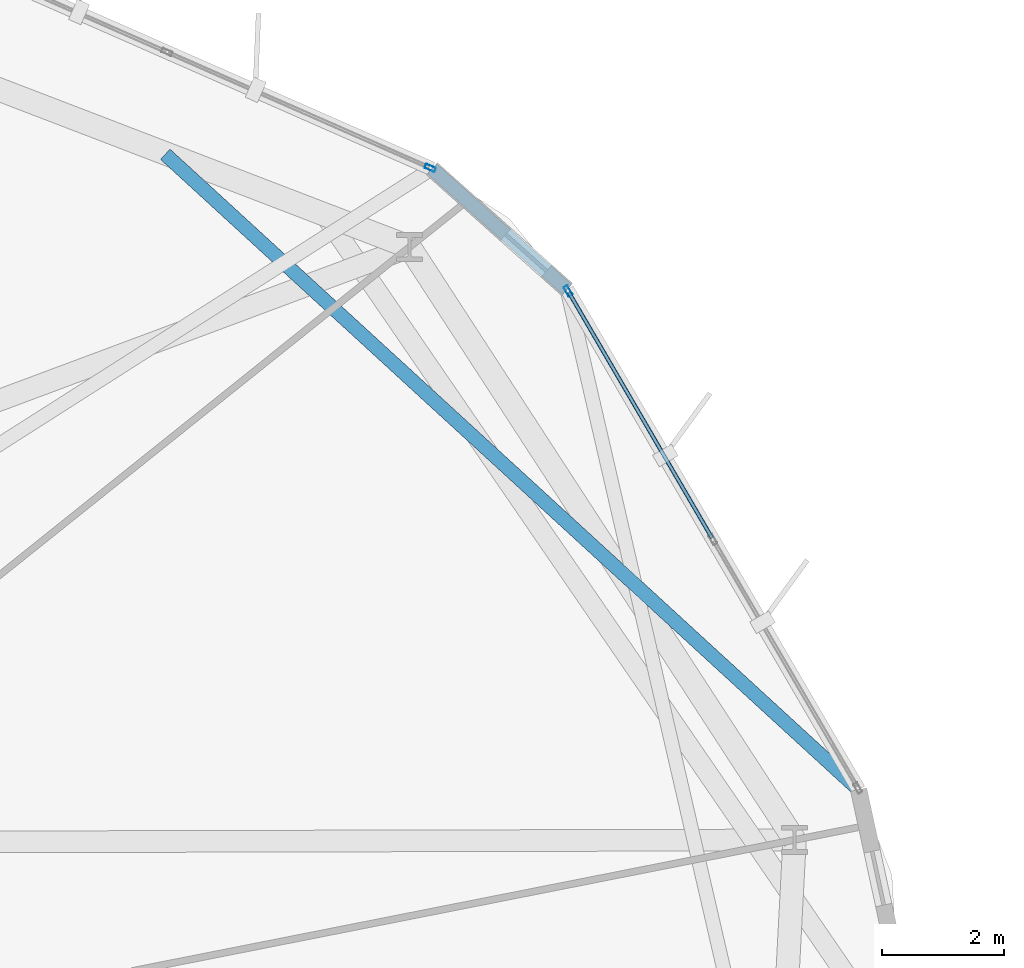
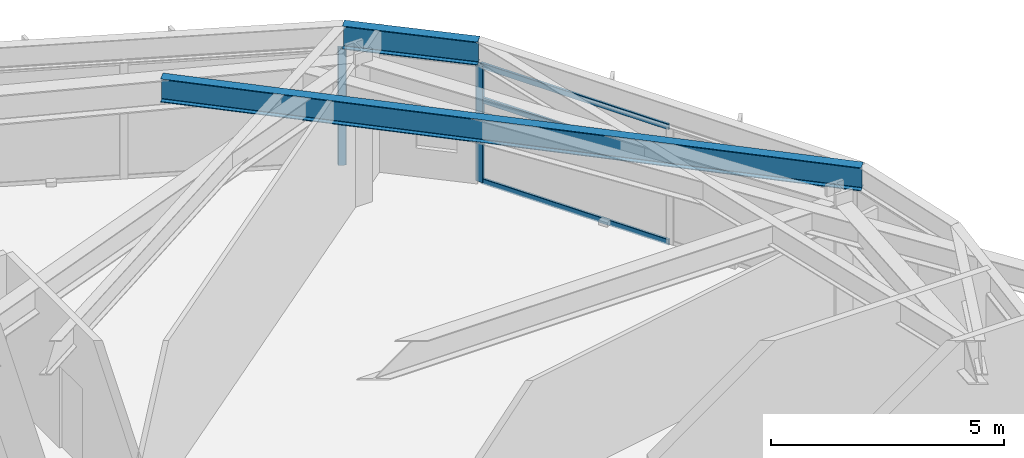
# One storey, part 15 of 22: 5 members, 2 beams, 2 elements without a shape of their own.
"""IFC4 building model written with IfcOpenShell, lengths in metres."""

import ifcopenshell
import ifcopenshell.guid

model = None  # the IFC model being written
_history = None  # IfcOwnerHistory: only IFC2X3 demands one
_inside = {}  # id of a spatial element -> (the spatial element, [elements in it])
_under = {}  # id of a project, library or spatial element -> (it, [spatial elements below it])
_declared = {}  # id of a project -> (the project, [libraries it declares])
_typed = {}  # id of a type object -> (the type object, [elements of that type])
_made_of = {}  # id of a material, layer set ... -> (it, [elements and type objects made of it])


def new_model(schema):
    """Start an empty IFC model of exactly this schema.

    Asked for "IFC4X3", IfcOpenShell would pick the latest addendum, in which some entities
    have other attributes; the version numbers below select the first issue.
    IFC2X3 requires an IfcOwnerHistory on every rooted entity: one is made here for all.
    """
    global model, _history
    if schema == "IFC4X3":
        model = ifcopenshell.file(schema_version=(4, 3, 0, 0))
    else:
        model = ifcopenshell.file(schema=schema)
    _inside.clear()
    _under.clear()
    _declared.clear()
    _typed.clear()
    _made_of.clear()
    _history = None
    if model.schema == "IFC2X3":
        org = make("IfcOrganization", Name="unknown")
        user = make(
            "IfcPersonAndOrganization",
            ThePerson=make("IfcPerson", FamilyName="unknown"),
            TheOrganization=org,
        )
        app = make(
            "IfcApplication",
            ApplicationDeveloper=org,
            Version="unknown",
            ApplicationFullName="unknown",
            ApplicationIdentifier="unknown",
        )
        _history = make(
            "IfcOwnerHistory",
            OwningUser=user,
            OwningApplication=app,
            ChangeAction="ADDED",
            CreationDate=0,
        )
    return model


def make(cls, **values):
    """One entity of the class cls with the attributes given. An attribute that is None is left unset."""
    return model.create_entity(
        cls, **{name: value for name, value in values.items() if value is not None}
    )


def rooted(cls, **values):
    """An entity with a GlobalId (a new one), such as an element, a storey or a relation."""
    return make(cls, GlobalId=ifcopenshell.guid.new(), OwnerHistory=_history, **values)


def si_unit(unit_type, name, prefix=None):
    """IfcSIUnit, for example si_unit("LENGTHUNIT", "METRE", prefix="MILLI")."""
    return make("IfcSIUnit", UnitType=unit_type, Prefix=prefix, Name=name)


def assignment(units):
    """IfcUnitAssignment: the units of a project."""
    return None if units is None else make("IfcUnitAssignment", Units=units)


def point(xyz):
    """IfcCartesianPoint."""
    return None if xyz is None else make("IfcCartesianPoint", Coordinates=xyz)


def direction(xyz):
    """IfcDirection."""
    return None if xyz is None else make("IfcDirection", DirectionRatios=xyz)


def frame(location, z_axis=None, x_axis=None):
    """IfcAxis2Placement3D, a coordinate frame: its origin and axes. An axis left out is left unset."""
    return make(
        "IfcAxis2Placement3D",
        Location=point(location),
        Axis=direction(z_axis),
        RefDirection=direction(x_axis),
    )


def frame_2d(location, x_axis=None):
    """IfcAxis2Placement2D, a coordinate frame in the plane: its origin and x axis."""
    return make(
        "IfcAxis2Placement2D", Location=point(location), RefDirection=direction(x_axis)
    )


def origin():
    """The frame at (0, 0, 0) with its axes left unset."""
    return frame((0.0, 0.0, 0.0))


def origin_2d():
    """The frame at (0, 0) in the plane with its x axis left unset."""
    return frame_2d((0.0, 0.0))


def place(relative_to, where):
    """IfcLocalPlacement: puts the frame where relative to a parent placement (None: the world)."""
    return make(
        "IfcLocalPlacement", PlacementRelTo=relative_to, RelativePlacement=where
    )


def context(
    kind, dimensions, precision=None, world=None, true_north=None, identifier=None
):
    """IfcGeometricRepresentationContext, for example the 3D "Model" context."""
    return make(
        "IfcGeometricRepresentationContext",
        ContextIdentifier=identifier,
        ContextType=kind,
        CoordinateSpaceDimension=dimensions,
        Precision=precision,
        WorldCoordinateSystem=world,
        TrueNorth=true_north,
    )


def subcontext(parent, identifier, kind, view, scale=None):
    """IfcGeometricRepresentationSubContext, for example "Body" below "Model"."""
    return make(
        "IfcGeometricRepresentationSubContext",
        ContextIdentifier=identifier,
        ContextType=kind,
        ParentContext=parent,
        TargetScale=scale,
        TargetView=view,
    )


def project(units=None, contexts=None):
    """IfcProject with its units and contexts."""
    return rooted(
        "IfcProject",
        Name="project",
        RepresentationContexts=contexts,
        UnitsInContext=assignment(units),
    )


def spatial(cls, under=None, at=None, **own):
    """A site, building, storey or space (cls), placed at a placement, below another one or the project."""
    s = rooted(cls, ObjectPlacement=at, **own)
    if under is not None:
        _under.setdefault(under.id(), (under, []))[1].append(s)
    return s


def profile(cls, at=None, kind="AREA", **sizes):
    """A parametric profile (cls). Its sizes go by their IFC names, for example OverallWidth=200.0."""
    return make(cls, ProfileType=kind, Position=at, **sizes)


def hollow_rectangle(**sizes):
    """IfcRectangleHollowProfileDef."""
    return profile("IfcRectangleHollowProfileDef", **sizes)


def i_section(**sizes):
    """IfcIShapeProfileDef."""
    return profile("IfcIShapeProfileDef", **sizes)


def extrude(swept, where, along, depth):
    """IfcExtrudedAreaSolid: the profile swept, set in the frame where, extruded along a direction by depth."""
    return make(
        "IfcExtrudedAreaSolid",
        SweptArea=swept,
        Position=where,
        ExtrudedDirection=direction(along),
        Depth=depth,
    )


def shape(context_of_items, identifier, shape_type, items):
    """IfcShapeRepresentation: the items that make up one representation, for example the "Body"."""
    return make(
        "IfcShapeRepresentation",
        ContextOfItems=context_of_items,
        RepresentationIdentifier=identifier,
        RepresentationType=shape_type,
        Items=items,
    )


def material(Name=None, Category=None):
    """IfcMaterial."""
    return make("IfcMaterial", Name=Name, Category=Category)


def layer(
    of_material, thickness, ventilated=None, Name=None, Category=None, Priority=None
):
    """IfcMaterialLayer: one layer of a wall or slab, of a material (None: an air gap)."""
    return make(
        "IfcMaterialLayer",
        Material=of_material,
        LayerThickness=thickness,
        IsVentilated=ventilated,
        Name=Name,
        Category=Category,
        Priority=Priority,
    )


def layer_set(layers, Name=None):
    """IfcMaterialLayerSet."""
    return make("IfcMaterialLayerSet", MaterialLayers=layers, LayerSetName=Name)


def material_profile(
    of_material, cross_section, Name=None, Category=None, Priority=None
):
    """IfcMaterialProfile: a cross section and its material."""
    return make(
        "IfcMaterialProfile",
        Name=Name,
        Material=of_material,
        Profile=cross_section,
        Priority=Priority,
        Category=Category,
    )


def profile_set(profiles, Name=None, composite=None):
    """IfcMaterialProfileSet."""
    return make(
        "IfcMaterialProfileSet",
        Name=Name,
        MaterialProfiles=profiles,
        CompositeProfile=composite,
    )


def made_of(thing, what):
    """Note that an element or type object is made of a material, layer set ...; save() writes the relation."""
    if what is not None:
        _made_of.setdefault(what.id(), (what, []))[1].append(thing)
    return thing


def type_object(cls, material=None, **own):
    """A type object (cls), such as IfcWallType, which elements share."""
    return made_of(rooted(cls, **own), material)


def element(
    cls,
    number,
    at=None,
    inside=None,
    cuts=None,
    type_object=None,
    material=None,
    context=None,
    identifier="Body",
    shape_type=None,
    held_by="IfcProductDefinitionShape",
    body=None,
    shapes=None,
    **own,
):
    """One element of the class cls, such as IfcWall. Its Tag is "e" and its number.

    at: its placement. inside: the storey or other place that contains it. cuts: it is an
    opening in that element (IfcRelVoidsElement). A single representation is given by context,
    identifier, shape_type and body (its items); several are given by shapes. held_by: the class
    of the entity that holds the representations. save() writes the other relations.
    """
    e = rooted(cls, Tag="e%d" % number, ObjectPlacement=at, **own)
    if body is not None:
        shapes = [shape(context, identifier, shape_type, body)]
    if shapes is not None:
        e.Representation = make(held_by, Representations=shapes)
    if inside is not None:
        _inside.setdefault(inside.id(), (inside, []))[1].append(e)
    if cuts is not None:
        rooted(
            "IfcRelVoidsElement", RelatingBuildingElement=cuts, RelatedOpeningElement=e
        )
    if type_object is not None:
        _typed.setdefault(type_object.id(), (type_object, []))[1].append(e)
    return made_of(e, material)


def aggregate(whole, parts):
    """IfcRelAggregates: a whole, such as a stair, and the parts it consists of."""
    return rooted("IfcRelAggregates", RelatingObject=whole, RelatedObjects=parts)


def save(model, path):
    """Write the relations noted so far, then the file.

    IfcRelAggregates (storeys below a building ...), IfcRelContainedInSpatialStructure (elements
    in a storey), IfcRelDefinesByType, IfcRelAssociatesMaterial and IfcRelDeclares: one each for
    every whole, place, type object, material and project.
    """
    for whole, parts in _under.values():
        aggregate(whole, parts)
    for where, things in _inside.values():
        rooted(
            "IfcRelContainedInSpatialStructure",
            RelatedElements=things,
            RelatingStructure=where,
        )
    for kind, things in _typed.values():
        rooted("IfcRelDefinesByType", RelatedObjects=things, RelatingType=kind)
    for what, things in _made_of.values():
        rooted("IfcRelAssociatesMaterial", RelatedObjects=things, RelatingMaterial=what)
    for by, libraries in _declared.values():
        rooted("IfcRelDeclares", RelatingContext=by, RelatedDefinitions=libraries)
    model.write(path)


model = new_model("IFC4")

# Units and contexts
model_context = context("Model", 3, precision=1e-05, world=origin(), true_north=direction((0.0, 1.0)))
body_context = subcontext(model_context, "Body", "Model", "MODEL_VIEW")
ifc_project = project(units=[si_unit("LENGTHUNIT", "METRE"), si_unit("AREAUNIT", "SQUARE_METRE"), si_unit("VOLUMEUNIT", "CUBIC_METRE"), si_unit("PLANEANGLEUNIT", "RADIAN"), si_unit("MASSUNIT", "GRAM", prefix="KILO")], contexts=[model_context])

# Site, building, storey
site_placement = place(None, origin())
site = spatial("IfcSite", under=ifc_project, at=site_placement, CompositionType="ELEMENT")
building_placement = place(site_placement, origin())
building = spatial("IfcBuilding", under=site, at=building_placement, Name="Soratama Intermodal Tower", CompositionType="ELEMENT")
storey_placement = place(building_placement, frame((0.0, 0.0, 74.60009765625)))
storey = spatial("IfcBuildingStorey", under=building, at=storey_placement, Name="L17", CompositionType="ELEMENT", Elevation=74.60009765625)

# Beams
ifc_material_1 = material(Name="Structural steel ASTM A992 Grade 50", Category="steel")
ifc_material_profile_1 = material_profile(ifc_material_1, i_section(OverallWidth=0.22900390625, OverallDepth=0.612060546875, WebThickness=0.011962890625, FlangeThickness=0.01953125, FilletRadius=0.012939453125, at=origin_2d()), Name="W24X84")
ifc_profile_set_1 = profile_set([ifc_material_profile_1], Name="Structural steel ASTM A992 Grade 50")
beam_type_1 = type_object("IfcBeamType", Name="BM-SPN-W24X84", PredefinedType="SPANDREL", material=ifc_profile_set_1)
beam_1_placement = place(storey_placement, frame((59.35888671875, 38.85595703125, 3.393798828125), z_axis=(-0.745908445205, 0.666048490255, 0.0), x_axis=(-0.666048490255, -0.745908445205, 0.0)))
element("IfcBeam", 1, at=beam_1_placement, inside=storey, type_object=beam_type_1, Name="BS-L17-CRN01", PredefinedType="SPANDREL", context=body_context, shape_type="SweptSolid", body=[
    extrude(i_section(OverallWidth=0.22900390625, OverallDepth=0.612060546875, WebThickness=0.011962890625, FlangeThickness=0.01953125, FilletRadius=0.012939453125, at=origin_2d()), origin(), (0.0, 0.0, 1.0), 2.96533203125),
])
ifc_material_2 = material(Name="Structural steel ASTM A992 Grade 50", Category="steel")
ifc_material_profile_2 = material_profile(ifc_material_2, i_section(OverallWidth=0.22900390625, OverallDepth=0.612060546875, WebThickness=0.011962890625, FlangeThickness=0.01953125, FilletRadius=0.012939453125, at=origin_2d()), Name="W24X84")
ifc_profile_set_2 = profile_set([ifc_material_profile_2], Name="Structural steel ASTM A992 Grade 50")
beam_type_2 = type_object("IfcBeamType", Name="BM-TIE-W24X84", PredefinedType="BEAM", material=ifc_profile_set_2)
beam_2_placement = place(storey_placement, frame((52.782958984375, 41.06689453125, 3.393798828125), z_axis=(0.73729764739, -0.675568041839, 0.0), x_axis=(0.675568041839, 0.73729764739, 0.0)))
element("IfcBeam", 2, at=beam_2_placement, inside=storey, type_object=beam_type_2, Name="BM-L17-TIE0-01", PredefinedType="BEAM", context=body_context, shape_type="SweptSolid", body=[
    extrude(i_section(OverallWidth=0.22900390625, OverallDepth=0.612060546875, WebThickness=0.011962890625, FlangeThickness=0.01953125, FilletRadius=0.012939453125, at=origin_2d()), origin(), (0.0, 0.0, 1.0), 15.392822265625),
])

# Curtain wall, member
ifc_material_3 = material(Name="Double-glazed aluminium curtain wall", Category="aluminium")
ifc_layer = layer(ifc_material_3, 0.159912109375)
ifc_layer_set = layer_set([ifc_layer], Name="Double-glazed aluminium curtain wall")
curtain_wall_type = type_object("IfcCurtainWallType", Name="CW-SYS-2", PredefinedType="NOTDEFINED", material=ifc_layer_set)
curtain_wall_1_placement = place(storey_placement, origin())
curtain_wall_1 = element("IfcCurtainWall", 3, at=curtain_wall_1_placement, inside=storey, type_object=curtain_wall_type, Name="L17 Faceted Curtain Wall F01", PredefinedType="NOTDEFINED")
ifc_material_4 = material(Name="Anodised aluminium AA 6063-T6", Category="aluminium")
ifc_material_profile_3 = material_profile(ifc_material_4, hollow_rectangle(XDim=0.074951171875, YDim=0.179931640625, WallThickness=0.006103515625, InnerFilletRadius=0.006103515625, OuterFilletRadius=0.011962890625, at=origin_2d()), Name="CWM180X75X6")
ifc_profile_set_3 = profile_set([ifc_material_profile_3], Name="Anodised aluminium AA 6063-T6")
member_type_1 = type_object("IfcMemberType", Name="MT-CWM-2", PredefinedType="MULLION", material=ifc_profile_set_3)
member_1_placement = place(storey_placement, frame((59.37451171875, 38.829833984375, 0.0), z_axis=(0.0, 0.0, 1.0), x_axis=(-0.863925060088, -0.503620383377, 0.0)))
member_1 = element("IfcMember", 4, at=member_1_placement, type_object=member_type_1, Name="CW-2 mullion 3", PredefinedType="MULLION", context=body_context, shape_type="SweptSolid", body=[
    extrude(hollow_rectangle(XDim=0.074951171875, YDim=0.179931640625, WallThickness=0.006103515625, InnerFilletRadius=0.006103515625, OuterFilletRadius=0.011962890625, at=origin_2d()), origin(), (0.0, 0.0, 1.0), 3.078857421875),
])

curtain_wall_2_placement = place(storey_placement, origin())
curtain_wall_2 = element("IfcCurtainWall", 5, at=curtain_wall_2_placement, inside=storey, type_object=curtain_wall_type, Name="L17 Faceted Curtain Wall F02", PredefinedType="NOTDEFINED")
member_2_placement = place(storey_placement, frame((57.119140625, 40.843505859375, 0.0), z_axis=(0.0, 0.0, 1.0), x_axis=(-0.402904100318, -0.915242200703, 0.0)))
member_2 = element("IfcMember", 6, at=member_2_placement, type_object=member_type_1, Name="CW-2 mullion 1", PredefinedType="MULLION", context=body_context, shape_type="SweptSolid", body=[
    extrude(hollow_rectangle(XDim=0.074951171875, YDim=0.179931640625, WallThickness=0.006103515625, InnerFilletRadius=0.006103515625, OuterFilletRadius=0.011962890625, at=origin_2d()), origin(), (0.0, 0.0, 1.0), 3.078857421875),
])
aggregate(curtain_wall_2, [member_2])

# Member
ifc_material_5 = material(Name="Anodised aluminium AA 6063-T6", Category="aluminium")
ifc_material_profile_4 = material_profile(ifc_material_5, hollow_rectangle(XDim=0.06494140625, YDim=0.14990234375, WallThickness=0.0048828125, InnerFilletRadius=0.0048828125, OuterFilletRadius=0.010009765625, at=origin_2d()), Name="CWT150X65X5")
ifc_profile_set_4 = profile_set([ifc_material_profile_4], Name="Anodised aluminium AA 6063-T6")
member_type_2 = type_object("IfcMemberType", Name="TT-CWT-1", PredefinedType="USERDEFINED", material=ifc_profile_set_4)
member_3_placement = place(storey_placement, frame((61.730712890625, 34.787841796875, 0.02978515625), z_axis=(-0.503603236823, 0.863935055349, 0.0), x_axis=(-0.863935055349, -0.503603236823, 0.0)))
member_3 = element("IfcMember", 7, at=member_3_placement, type_object=member_type_2, Name="CW-2 transom 2.1", ObjectType="TRANSOM", PredefinedType="USERDEFINED", context=body_context, shape_type="SweptSolid", body=[
    extrude(hollow_rectangle(XDim=0.06494140625, YDim=0.14990234375, WallThickness=0.0048828125, InnerFilletRadius=0.0048828125, OuterFilletRadius=0.010009765625, at=origin_2d()), origin(), (0.0, 0.0, 1.0), 4.648681640625),
])

member_4_placement = place(storey_placement, frame((61.730712890625, 34.787841796875, 2.14990234375), z_axis=(-0.503603236823, 0.863935055349, 0.0), x_axis=(-0.863935055349, -0.503603236823, 0.0)))
member_4 = element("IfcMember", 8, at=member_4_placement, type_object=member_type_2, Name="CW-2 transom 2.2", ObjectType="TRANSOM", PredefinedType="USERDEFINED", context=body_context, shape_type="SweptSolid", body=[
    extrude(hollow_rectangle(XDim=0.06494140625, YDim=0.14990234375, WallThickness=0.0048828125, InnerFilletRadius=0.0048828125, OuterFilletRadius=0.010009765625, at=origin_2d()), origin(), (0.0, 0.0, 1.0), 4.648681640625),
])

member_5_placement = place(storey_placement, frame((61.730712890625, 34.787841796875, 3.048828125), z_axis=(-0.503603236823, 0.863935055349, 0.0), x_axis=(-0.863935055349, -0.503603236823, 0.0)))
member_5 = element("IfcMember", 9, at=member_5_placement, type_object=member_type_2, Name="CW-2 transom 2.3", ObjectType="TRANSOM", PredefinedType="USERDEFINED", context=body_context, shape_type="SweptSolid", body=[
    extrude(hollow_rectangle(XDim=0.06494140625, YDim=0.14990234375, WallThickness=0.0048828125, InnerFilletRadius=0.0048828125, OuterFilletRadius=0.010009765625, at=origin_2d()), origin(), (0.0, 0.0, 1.0), 4.648681640625),
])

aggregate(curtain_wall_1, [member_1, member_3, member_4, member_5])

save(model, "model.ifc")
